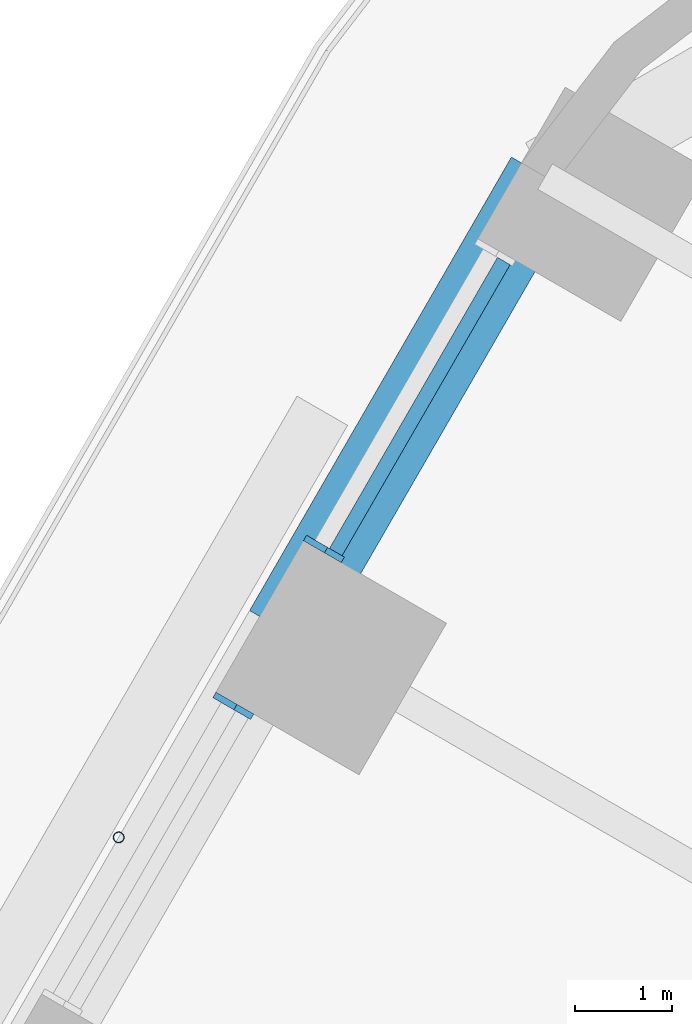
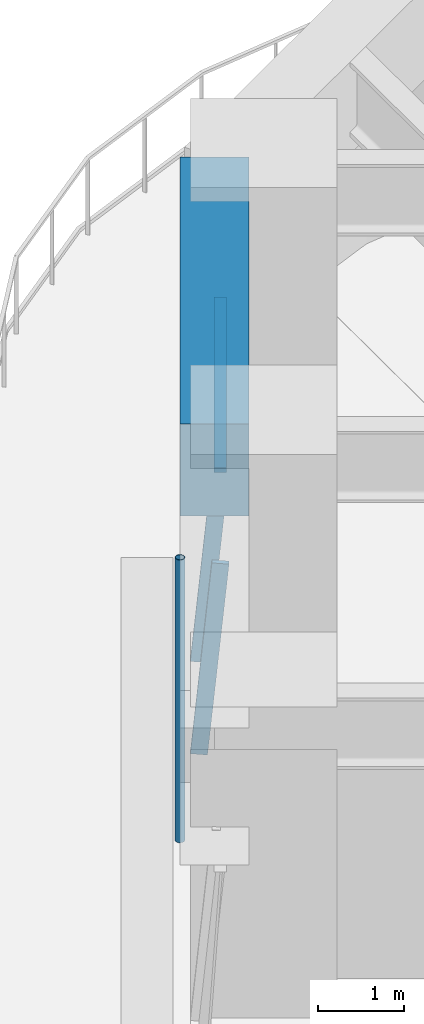
# One storey, part 9 of 24: 4 members, 1 beam, 2 elements without a shape of their own.
"""IFC4 building model written with IfcOpenShell, lengths in metres."""

from ifc_helpers import new_model, si_unit, direction, frame, origin, origin_2d, place, context, subcontext, project, spatial, rectangle, hollow_circle, extrude, material, material_profile, profile_set, type_object, element, aggregate, save


model = new_model("IFC4")

# Units and contexts
model_context = context("Model", 3, precision=1e-05, world=origin(), true_north=direction((0.0, 1.0)))
body_context = subcontext(model_context, "Body", "Model", "MODEL_VIEW")
ifc_project = project(units=[si_unit("LENGTHUNIT", "METRE"), si_unit("AREAUNIT", "SQUARE_METRE"), si_unit("VOLUMEUNIT", "CUBIC_METRE"), si_unit("PLANEANGLEUNIT", "RADIAN"), si_unit("MASSUNIT", "GRAM", prefix="KILO")], contexts=[model_context])

# Site, building, storey
site_placement = place(None, origin())
site = spatial("IfcSite", under=ifc_project, at=site_placement, CompositionType="ELEMENT")
building_placement = place(site_placement, origin())
building = spatial("IfcBuilding", under=site, at=building_placement, Name="Tarfa Lantern Tower", CompositionType="ELEMENT")
storey_placement = place(building_placement, frame((0.0, 0.0, 90.699951171875)))
storey = spatial("IfcBuildingStorey", under=building, at=storey_placement, Name="L20", CompositionType="ELEMENT", Elevation=90.699951171875)

# Curtain wall, member
ifc_material_1 = material(Name="Aluminium framed curtain wall", Category="aluminium")
curtain_wall_type = type_object("IfcCurtainWallType", Name="CW1 CANTED GLAZING LOW ZONE 2700", PredefinedType="USERDEFINED", material=ifc_material_1)
curtain_wall_1_placement = place(storey_placement, origin())
curtain_wall_1 = element("IfcCurtainWall", 1, at=curtain_wall_1_placement, inside=storey, type_object=curtain_wall_type, Name="CW1 NW L20", ObjectType="CURTAIN WALL", PredefinedType="USERDEFINED")
ifc_material_2 = material(Name="Aluminium mullion", Category="aluminium")
ifc_material_profile_1 = material_profile(ifc_material_2, rectangle(XDim=0.06494140625, YDim=0.199951171875, at=origin_2d()), Name="AL MULLION 65x200")
ifc_profile_set_1 = profile_set([ifc_material_profile_1], Name="Aluminium mullion")
member_type_1 = type_object("IfcMemberType", Name="CWM1 MULLION 65x200", PredefinedType="MULLION", material=ifc_profile_set_1)
member_1_placement = place(storey_placement, frame((-23.50341796875, 27.0908203125, 0.0), z_axis=(0.07986442134, -0.046099868913, 0.99573916077), x_axis=(0.499919672301, 0.866071776036, 0.0)))
member_1 = element("IfcMember", 2, at=member_1_placement, type_object=member_type_1, Name="CW1 mullion 2", PredefinedType="MULLION", context=body_context, shape_type="SweptSolid", body=[
    extrude(rectangle(XDim=0.06494140625, YDim=0.199951171875, at=origin_2d()), origin(), (0.0, 0.0, 1.0), 2.71142578125),
])

curtain_wall_2_placement = place(storey_placement, origin())
curtain_wall_2 = element("IfcCurtainWall", 3, at=curtain_wall_2_placement, inside=storey, type_object=curtain_wall_type, Name="CW1 NW L20", ObjectType="CURTAIN WALL", PredefinedType="USERDEFINED")
member_2_placement = place(storey_placement, frame((-24.435791015625, 25.475830078125, 0.0), z_axis=(0.079774955866, -0.04610020023, 0.995746317068), x_axis=(0.500342721131, 0.865827443207, 0.0)))
member_2 = element("IfcMember", 4, at=member_2_placement, type_object=member_type_1, Name="CW1 mullion 1", PredefinedType="MULLION", context=body_context, shape_type="SweptSolid", body=[
    extrude(rectangle(XDim=0.06494140625, YDim=0.199951171875, at=origin_2d()), origin(), (0.0, 0.0, 1.0), 2.71142578125),
])
aggregate(curtain_wall_2, [member_2])

# Member
ifc_material_3 = material(Name="Aluminium transom", Category="aluminium")
ifc_material_profile_2 = material_profile(ifc_material_3, rectangle(XDim=0.14990234375, YDim=0.06494140625, at=origin_2d()), Name="AL TRANSOM 150x65")
ifc_profile_set_2 = profile_set([ifc_material_profile_2], Name="Aluminium transom")
member_type_2 = type_object("IfcMemberType", Name="CWT1 TRANSOM 150x65", PredefinedType="USERDEFINED", material=ifc_profile_set_2)
member_3_placement = place(storey_placement, frame((-21.5439453125, 29.99072265625, 2.66748046875), z_axis=(-0.500003541824, -0.866023358902, 0.0), x_axis=(0.866023358902, -0.500003541824, 0.0)))
member_3 = element("IfcMember", 5, at=member_3_placement, type_object=member_type_2, Name="CW1 transom 1.2", ObjectType="TRANSOM", PredefinedType="USERDEFINED", context=body_context, shape_type="SweptSolid", body=[
    extrude(rectangle(XDim=0.14990234375, YDim=0.06494140625, at=origin_2d()), origin(), (0.0, 0.0, 1.0), 3.45849609375),
])

aggregate(curtain_wall_1, [member_1, member_3])

# Beam
ifc_material_4 = material(Name="Concrete C80/95", Category="concrete")
ifc_material_profile_3 = material_profile(ifc_material_4, rectangle(XDim=0.800048828125, YDim=1.300048828125, at=origin_2d()), Name="RC 800x1300")
ifc_profile_set_3 = profile_set([ifc_material_profile_3], Name="Concrete C80/95")
beam_type = type_object("IfcBeamType", Name="EB1 RC 800x1300", PredefinedType="SPANDREL", material=ifc_profile_set_3)
beam_placement = place(storey_placement, frame((-21.119384765625, 30.860107421875, 3.35009765625), z_axis=(-0.499998287579, -0.866026392449, 0.0), x_axis=(0.866026392449, -0.499998287579, 0.0)))
element("IfcBeam", 6, at=beam_placement, inside=storey, type_object=beam_type, Name="Edge beam NW0", PredefinedType="SPANDREL", context=body_context, shape_type="SweptSolid", body=[
    extrude(rectangle(XDim=0.800048828125, YDim=1.300048828125, at=origin_2d()), origin(), (0.0, 0.0, 1.0), 5.388671875),
])

# Member
ifc_material_5 = material(Name="Steel S355", Category="steel")
ifc_material_profile_4 = material_profile(ifc_material_5, hollow_circle(Radius=0.05712890625, WallThickness=0.00634765625, at=origin_2d()), Name="CHS114.3x6.3")
ifc_profile_set_4 = profile_set([ifc_material_profile_4], Name="Steel S355")
member_type_3 = type_object("IfcMemberType", Name="TR1 GREEN WALL TRELLIS CHS114.3x6.3", PredefinedType="USERDEFINED", material=ifc_profile_set_4)
member_4_placement = place(storey_placement, frame((-25.50732421875, 24.06005859375, 0.0), z_axis=(0.0, 0.0, 1.0), x_axis=(1.0, 0.0, 0.0)))
element("IfcMember", 7, at=member_4_placement, inside=storey, type_object=member_type_3, Name="Trellis post NW 1", ObjectType="TRELLIS", PredefinedType="USERDEFINED", context=body_context, shape_type="SweptSolid", body=[
    extrude(hollow_circle(Radius=0.05712890625, WallThickness=0.00634765625, at=origin_2d()), origin(), (0.0, 0.0, 1.0), 4.0),
])

save(model, "model.ifc")
